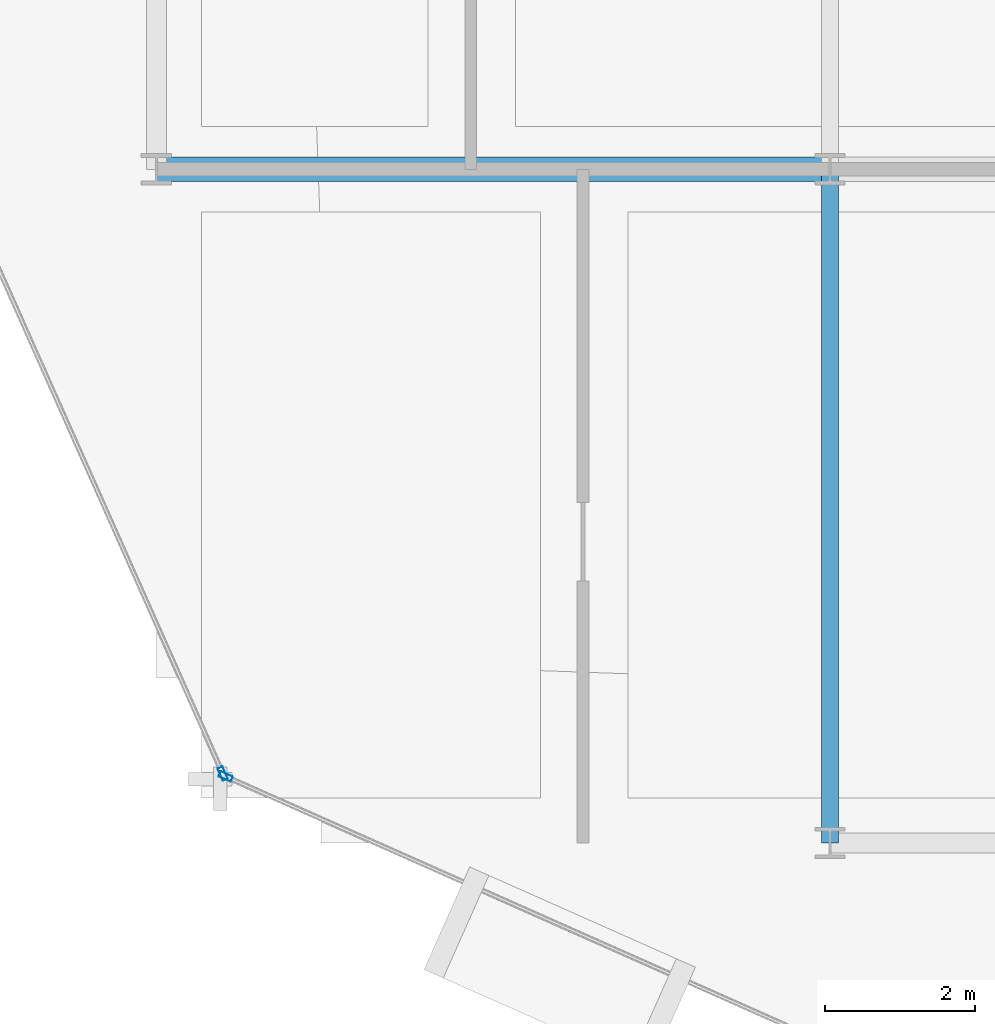
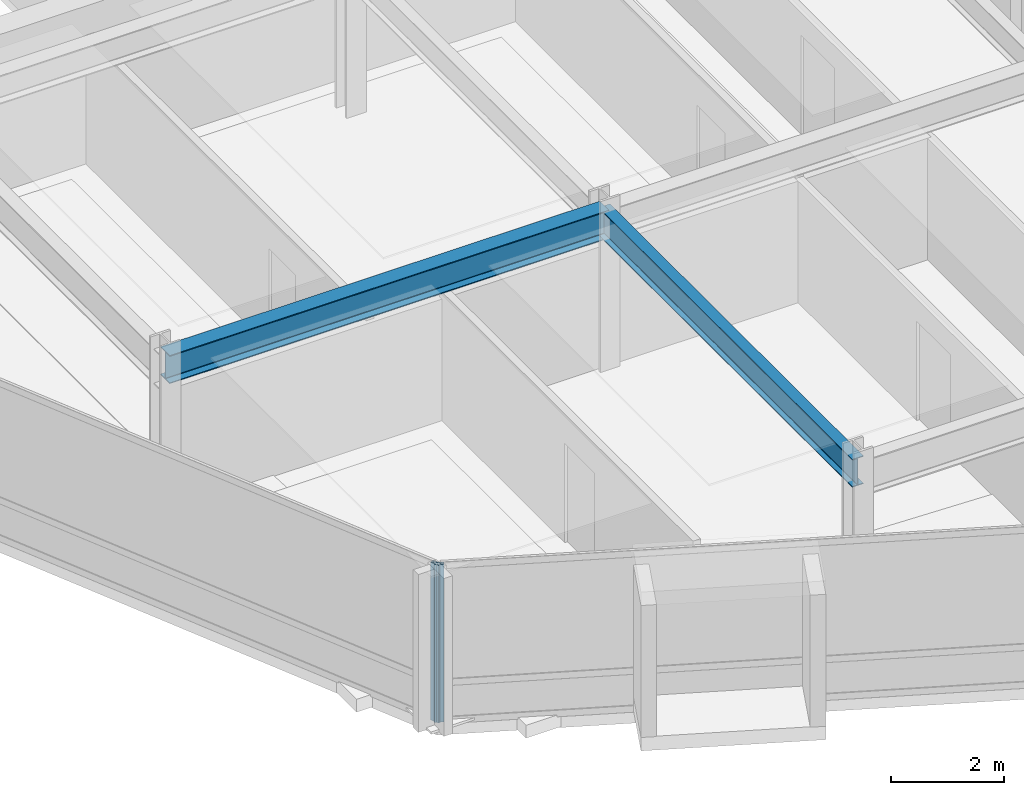
# One storey, part 2 of 27: 2 beams, 2 members, 2 elements without a shape of their own.
"""IFC4 building model written with IfcOpenShell, lengths in metres."""

from ifc_helpers import new_model, si_unit, direction, frame, origin, origin_2d, place, context, subcontext, project, spatial, hollow_rectangle, i_section, extrude, material, layer, layer_set, material_profile, profile_set, type_object, element, aggregate, save


model = new_model("IFC4")

# Units and contexts
model_context = context("Model", 3, precision=1e-05, world=origin(), true_north=direction((0.0, 1.0)))
body_context = subcontext(model_context, "Body", "Model", "MODEL_VIEW")
ifc_project = project(units=[si_unit("LENGTHUNIT", "METRE"), si_unit("AREAUNIT", "SQUARE_METRE"), si_unit("VOLUMEUNIT", "CUBIC_METRE"), si_unit("PLANEANGLEUNIT", "RADIAN"), si_unit("MASSUNIT", "GRAM", prefix="KILO")], contexts=[model_context])

# Site, building, storey
site_placement = place(None, origin())
site = spatial("IfcSite", under=ifc_project, at=site_placement, CompositionType="ELEMENT")
building_placement = place(site_placement, origin())
building = spatial("IfcBuilding", under=site, at=building_placement, Name="Solvaryn Broadcast Tower", CompositionType="ELEMENT")
storey_placement = place(building_placement, frame((0.0, 0.0, 189.0)))
storey = spatial("IfcBuildingStorey", under=building, at=storey_placement, Name="L47", CompositionType="ELEMENT", Elevation=189.0)

# Beams
ifc_material_1 = material(Name="Steel ASTM A992 Grade 50", Category="steel")
ifc_material_profile_1 = material_profile(ifc_material_1, i_section(OverallWidth=0.323974609375, OverallDepth=0.611083984375, WebThickness=0.0126953125, FlangeThickness=0.01904296875, FilletRadius=0.014892578125, at=origin_2d()))
ifc_profile_set_1 = profile_set([ifc_material_profile_1], Name="Steel ASTM A992 Grade 50")
beam_type_1 = type_object("IfcBeamType", Name="BM-B1-W24X104", PredefinedType="BEAM", material=ifc_profile_set_1)
beam_1_placement = place(storey_placement, frame((9.0, 18.0, 3.114501953125), z_axis=(1.0, 0.0, 0.0), x_axis=(0.0, 1.0, 0.0)))
element("IfcBeam", 1, at=beam_1_placement, inside=storey, type_object=beam_type_1, Name="L47 Primary Beam X (9-18 @ Y=18)", PredefinedType="BEAM", context=body_context, shape_type="SweptSolid", body=[
    extrude(i_section(OverallWidth=0.323974609375, OverallDepth=0.611083984375, WebThickness=0.0126953125, FlangeThickness=0.01904296875, FilletRadius=0.014892578125, at=origin_2d()), origin(), (0.0, 0.0, 1.0), 9.0),
])
ifc_material_2 = material(Name="Steel ASTM A992 Grade 50", Category="steel")
ifc_material_profile_2 = material_profile(ifc_material_2, i_section(OverallWidth=0.22802734375, OverallDepth=0.60791015625, WebThickness=0.01123046875, FlangeThickness=0.017333984375, FilletRadius=0.014892578125, at=origin_2d()))
ifc_profile_set_2 = profile_set([ifc_material_profile_2], Name="Steel ASTM A992 Grade 50")
beam_type_2 = type_object("IfcBeamType", Name="BM-B2-W24X76", PredefinedType="BEAM", material=ifc_profile_set_2)
beam_2_placement = place(storey_placement, frame((18.0, 9.0, 3.115966796875), z_axis=(0.0, 1.0, 0.0), x_axis=(-1.0, 0.0, 0.0)))
element("IfcBeam", 2, at=beam_2_placement, inside=storey, type_object=beam_type_2, Name="L47 Primary Beam Y (9-18 @ X=18)", PredefinedType="BEAM", context=body_context, shape_type="SweptSolid", body=[
    extrude(i_section(OverallWidth=0.22802734375, OverallDepth=0.60791015625, WebThickness=0.01123046875, FlangeThickness=0.017333984375, FilletRadius=0.014892578125, at=origin_2d()), origin(), (0.0, 0.0, 1.0), 9.0),
])

# Curtain wall, member
ifc_material_3 = material(Name="Aluminium and Terracotta Unitised Curtain Wall", Category="masonry")
ifc_layer = layer(ifc_material_3, 0.199951171875)
ifc_layer_set = layer_set([ifc_layer], Name="CW-SYS2-LOWMID")
curtain_wall_type = type_object("IfcCurtainWallType", Name="CW-SYS2-LOWMID", PredefinedType="NOTDEFINED", material=ifc_layer_set)
curtain_wall_1_placement = place(storey_placement, origin())
curtain_wall_1 = element("IfcCurtainWall", 3, at=curtain_wall_1_placement, inside=storey, type_object=curtain_wall_type, Name="L47 Curtain Wall DR2", PredefinedType="NOTDEFINED")
ifc_material_4 = material(Name="Anodised Aluminium 6063-T6", Category="aluminium")
ifc_material_profile_3 = material_profile(ifc_material_4, hollow_rectangle(XDim=0.074951171875, YDim=0.179931640625, WallThickness=0.00390625, InnerFilletRadius=0.00390625, OuterFilletRadius=0.008056640625, at=origin_2d()))
ifc_profile_set_3 = profile_set([ifc_material_profile_3], Name="Anodised Aluminium 6063-T6")
member_type = type_object("IfcMemberType", Name="CW-MUL-180", PredefinedType="MULLION", material=ifc_profile_set_3)
member_1_placement = place(storey_placement, frame((9.8857421875, 9.925537109375, 0.0), z_axis=(0.0, 0.0, 1.0), x_axis=(0.913916902365, 0.405901337237, 0.0)))
member_1 = element("IfcMember", 4, at=member_1_placement, type_object=member_type, Name="CWS2 mullion 2", PredefinedType="MULLION", context=body_context, shape_type="SweptSolid", body=[
    extrude(hollow_rectangle(XDim=0.074951171875, YDim=0.179931640625, WallThickness=0.00390625, InnerFilletRadius=0.00390625, OuterFilletRadius=0.008056640625, at=origin_2d()), origin(), (0.0, 0.0, 1.0), 3.419921875),
])
aggregate(curtain_wall_1, [member_1])

curtain_wall_2_placement = place(storey_placement, origin())
curtain_wall_2 = element("IfcCurtainWall", 5, at=curtain_wall_2_placement, inside=storey, type_object=curtain_wall_type, Name="L47 Curtain Wall DR3", PredefinedType="NOTDEFINED")
member_2_placement = place(storey_placement, frame((9.925537109375, 9.8857421875, 0.0), z_axis=(0.0, 0.0, 1.0), x_axis=(0.405901337237, 0.913916902365, 0.0)))
member_2 = element("IfcMember", 6, at=member_2_placement, type_object=member_type, Name="CWS2 mullion 1", PredefinedType="MULLION", context=body_context, shape_type="SweptSolid", body=[
    extrude(hollow_rectangle(XDim=0.074951171875, YDim=0.179931640625, WallThickness=0.00390625, InnerFilletRadius=0.00390625, OuterFilletRadius=0.008056640625, at=origin_2d()), origin(), (0.0, 0.0, 1.0), 3.419921875),
])
aggregate(curtain_wall_2, [member_2])

save(model, "model.ifc")
